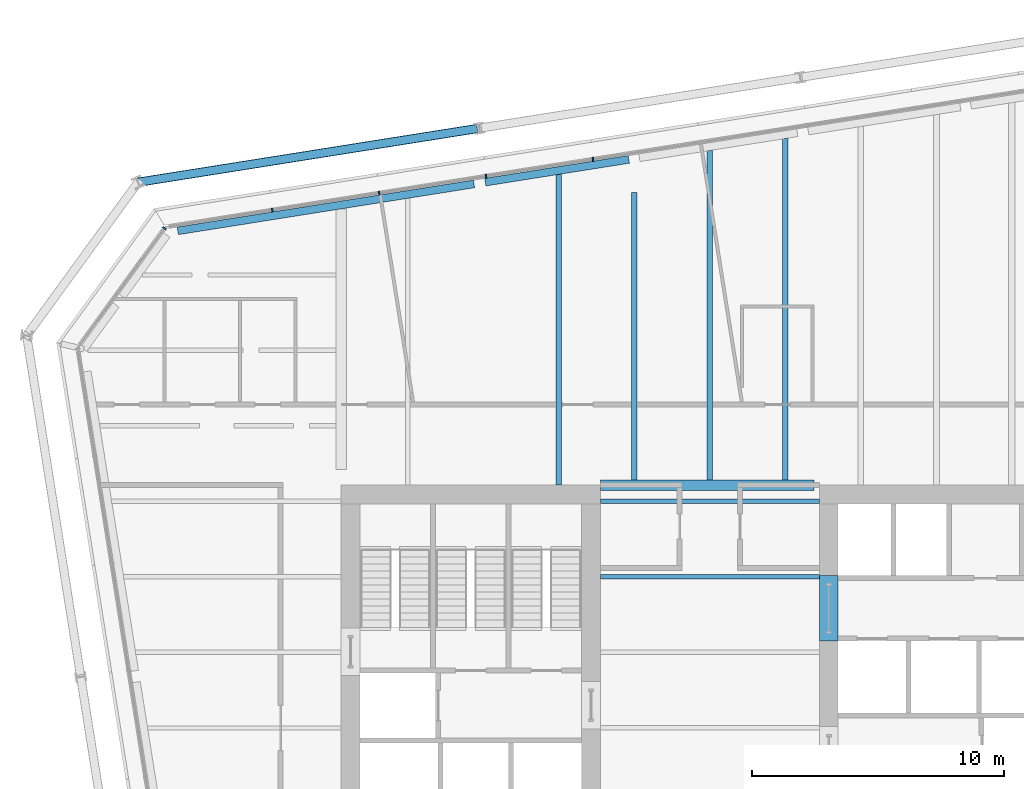
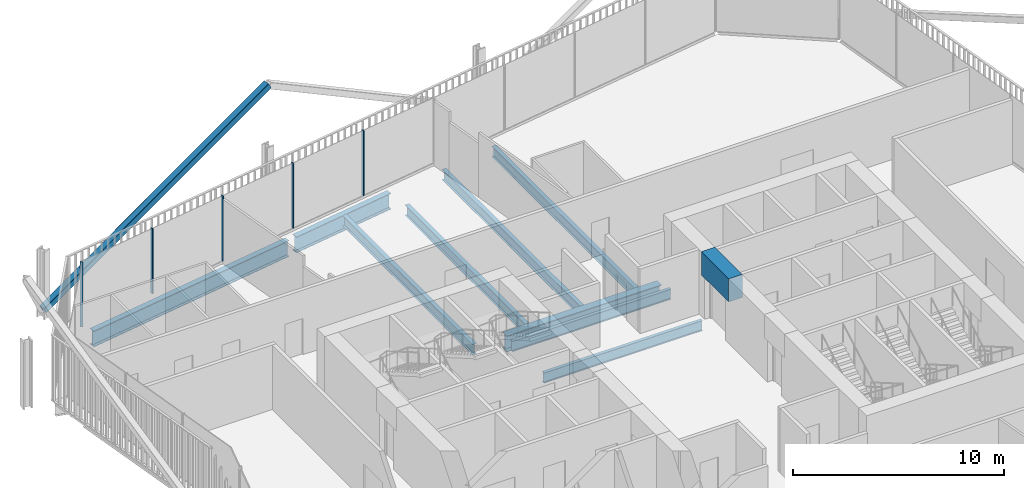
# One storey, part 8 of 19: 10 beams, 6 members, 2 elements without a shape of their own.
"""IFC4 building model written with IfcOpenShell, lengths in metres."""

import ifcopenshell
import ifcopenshell.guid

model = None  # the IFC model being written
_history = None  # IfcOwnerHistory: only IFC2X3 demands one
_inside = {}  # id of a spatial element -> (the spatial element, [elements in it])
_under = {}  # id of a project, library or spatial element -> (it, [spatial elements below it])
_declared = {}  # id of a project -> (the project, [libraries it declares])
_typed = {}  # id of a type object -> (the type object, [elements of that type])
_made_of = {}  # id of a material, layer set ... -> (it, [elements and type objects made of it])


def new_model(schema):
    """Start an empty IFC model of exactly this schema.

    Asked for "IFC4X3", IfcOpenShell would pick the latest addendum, in which some entities
    have other attributes; the version numbers below select the first issue.
    IFC2X3 requires an IfcOwnerHistory on every rooted entity: one is made here for all.
    """
    global model, _history
    if schema == "IFC4X3":
        model = ifcopenshell.file(schema_version=(4, 3, 0, 0))
    else:
        model = ifcopenshell.file(schema=schema)
    _inside.clear()
    _under.clear()
    _declared.clear()
    _typed.clear()
    _made_of.clear()
    _history = None
    if model.schema == "IFC2X3":
        org = make("IfcOrganization", Name="unknown")
        user = make(
            "IfcPersonAndOrganization",
            ThePerson=make("IfcPerson", FamilyName="unknown"),
            TheOrganization=org,
        )
        app = make(
            "IfcApplication",
            ApplicationDeveloper=org,
            Version="unknown",
            ApplicationFullName="unknown",
            ApplicationIdentifier="unknown",
        )
        _history = make(
            "IfcOwnerHistory",
            OwningUser=user,
            OwningApplication=app,
            ChangeAction="ADDED",
            CreationDate=0,
        )
    return model


def make(cls, **values):
    """One entity of the class cls with the attributes given. An attribute that is None is left unset."""
    return model.create_entity(
        cls, **{name: value for name, value in values.items() if value is not None}
    )


def rooted(cls, **values):
    """An entity with a GlobalId (a new one), such as an element, a storey or a relation."""
    return make(cls, GlobalId=ifcopenshell.guid.new(), OwnerHistory=_history, **values)


def si_unit(unit_type, name, prefix=None):
    """IfcSIUnit, for example si_unit("LENGTHUNIT", "METRE", prefix="MILLI")."""
    return make("IfcSIUnit", UnitType=unit_type, Prefix=prefix, Name=name)


def assignment(units):
    """IfcUnitAssignment: the units of a project."""
    return None if units is None else make("IfcUnitAssignment", Units=units)


def point(xyz):
    """IfcCartesianPoint."""
    return None if xyz is None else make("IfcCartesianPoint", Coordinates=xyz)


def direction(xyz):
    """IfcDirection."""
    return None if xyz is None else make("IfcDirection", DirectionRatios=xyz)


def frame(location, z_axis=None, x_axis=None):
    """IfcAxis2Placement3D, a coordinate frame: its origin and axes. An axis left out is left unset."""
    return make(
        "IfcAxis2Placement3D",
        Location=point(location),
        Axis=direction(z_axis),
        RefDirection=direction(x_axis),
    )


def frame_2d(location, x_axis=None):
    """IfcAxis2Placement2D, a coordinate frame in the plane: its origin and x axis."""
    return make(
        "IfcAxis2Placement2D", Location=point(location), RefDirection=direction(x_axis)
    )


def origin():
    """The frame at (0, 0, 0) with its axes left unset."""
    return frame((0.0, 0.0, 0.0))


def origin_2d():
    """The frame at (0, 0) in the plane with its x axis left unset."""
    return frame_2d((0.0, 0.0))


def place(relative_to, where):
    """IfcLocalPlacement: puts the frame where relative to a parent placement (None: the world)."""
    return make(
        "IfcLocalPlacement", PlacementRelTo=relative_to, RelativePlacement=where
    )


def context(
    kind, dimensions, precision=None, world=None, true_north=None, identifier=None
):
    """IfcGeometricRepresentationContext, for example the 3D "Model" context."""
    return make(
        "IfcGeometricRepresentationContext",
        ContextIdentifier=identifier,
        ContextType=kind,
        CoordinateSpaceDimension=dimensions,
        Precision=precision,
        WorldCoordinateSystem=world,
        TrueNorth=true_north,
    )


def subcontext(parent, identifier, kind, view, scale=None):
    """IfcGeometricRepresentationSubContext, for example "Body" below "Model"."""
    return make(
        "IfcGeometricRepresentationSubContext",
        ContextIdentifier=identifier,
        ContextType=kind,
        ParentContext=parent,
        TargetScale=scale,
        TargetView=view,
    )


def project(units=None, contexts=None):
    """IfcProject with its units and contexts."""
    return rooted(
        "IfcProject",
        Name="project",
        RepresentationContexts=contexts,
        UnitsInContext=assignment(units),
    )


def spatial(cls, under=None, at=None, **own):
    """A site, building, storey or space (cls), placed at a placement, below another one or the project."""
    s = rooted(cls, ObjectPlacement=at, **own)
    if under is not None:
        _under.setdefault(under.id(), (under, []))[1].append(s)
    return s


def profile(cls, at=None, kind="AREA", **sizes):
    """A parametric profile (cls). Its sizes go by their IFC names, for example OverallWidth=200.0."""
    return make(cls, ProfileType=kind, Position=at, **sizes)


def rectangle(**sizes):
    """IfcRectangleProfileDef."""
    return profile("IfcRectangleProfileDef", **sizes)


def hollow_rectangle(**sizes):
    """IfcRectangleHollowProfileDef."""
    return profile("IfcRectangleHollowProfileDef", **sizes)


def i_section(**sizes):
    """IfcIShapeProfileDef."""
    return profile("IfcIShapeProfileDef", **sizes)


def extrude(swept, where, along, depth):
    """IfcExtrudedAreaSolid: the profile swept, set in the frame where, extruded along a direction by depth."""
    return make(
        "IfcExtrudedAreaSolid",
        SweptArea=swept,
        Position=where,
        ExtrudedDirection=direction(along),
        Depth=depth,
    )


def shape(context_of_items, identifier, shape_type, items):
    """IfcShapeRepresentation: the items that make up one representation, for example the "Body"."""
    return make(
        "IfcShapeRepresentation",
        ContextOfItems=context_of_items,
        RepresentationIdentifier=identifier,
        RepresentationType=shape_type,
        Items=items,
    )


def material(Name=None, Category=None):
    """IfcMaterial."""
    return make("IfcMaterial", Name=Name, Category=Category)


def layer(
    of_material, thickness, ventilated=None, Name=None, Category=None, Priority=None
):
    """IfcMaterialLayer: one layer of a wall or slab, of a material (None: an air gap)."""
    return make(
        "IfcMaterialLayer",
        Material=of_material,
        LayerThickness=thickness,
        IsVentilated=ventilated,
        Name=Name,
        Category=Category,
        Priority=Priority,
    )


def layer_set(layers, Name=None):
    """IfcMaterialLayerSet."""
    return make("IfcMaterialLayerSet", MaterialLayers=layers, LayerSetName=Name)


def material_profile(
    of_material, cross_section, Name=None, Category=None, Priority=None
):
    """IfcMaterialProfile: a cross section and its material."""
    return make(
        "IfcMaterialProfile",
        Name=Name,
        Material=of_material,
        Profile=cross_section,
        Priority=Priority,
        Category=Category,
    )


def profile_set(profiles, Name=None, composite=None):
    """IfcMaterialProfileSet."""
    return make(
        "IfcMaterialProfileSet",
        Name=Name,
        MaterialProfiles=profiles,
        CompositeProfile=composite,
    )


def made_of(thing, what):
    """Note that an element or type object is made of a material, layer set ...; save() writes the relation."""
    if what is not None:
        _made_of.setdefault(what.id(), (what, []))[1].append(thing)
    return thing


def type_object(cls, material=None, **own):
    """A type object (cls), such as IfcWallType, which elements share."""
    return made_of(rooted(cls, **own), material)


def element(
    cls,
    number,
    at=None,
    inside=None,
    cuts=None,
    type_object=None,
    material=None,
    context=None,
    identifier="Body",
    shape_type=None,
    held_by="IfcProductDefinitionShape",
    body=None,
    shapes=None,
    **own,
):
    """One element of the class cls, such as IfcWall. Its Tag is "e" and its number.

    at: its placement. inside: the storey or other place that contains it. cuts: it is an
    opening in that element (IfcRelVoidsElement). A single representation is given by context,
    identifier, shape_type and body (its items); several are given by shapes. held_by: the class
    of the entity that holds the representations. save() writes the other relations.
    """
    e = rooted(cls, Tag="e%d" % number, ObjectPlacement=at, **own)
    if body is not None:
        shapes = [shape(context, identifier, shape_type, body)]
    if shapes is not None:
        e.Representation = make(held_by, Representations=shapes)
    if inside is not None:
        _inside.setdefault(inside.id(), (inside, []))[1].append(e)
    if cuts is not None:
        rooted(
            "IfcRelVoidsElement", RelatingBuildingElement=cuts, RelatedOpeningElement=e
        )
    if type_object is not None:
        _typed.setdefault(type_object.id(), (type_object, []))[1].append(e)
    return made_of(e, material)


def aggregate(whole, parts):
    """IfcRelAggregates: a whole, such as a stair, and the parts it consists of."""
    return rooted("IfcRelAggregates", RelatingObject=whole, RelatedObjects=parts)


def save(model, path):
    """Write the relations noted so far, then the file.

    IfcRelAggregates (storeys below a building ...), IfcRelContainedInSpatialStructure (elements
    in a storey), IfcRelDefinesByType, IfcRelAssociatesMaterial and IfcRelDeclares: one each for
    every whole, place, type object, material and project.
    """
    for whole, parts in _under.values():
        aggregate(whole, parts)
    for where, things in _inside.values():
        rooted(
            "IfcRelContainedInSpatialStructure",
            RelatedElements=things,
            RelatingStructure=where,
        )
    for kind, things in _typed.values():
        rooted("IfcRelDefinesByType", RelatedObjects=things, RelatingType=kind)
    for what, things in _made_of.values():
        rooted("IfcRelAssociatesMaterial", RelatedObjects=things, RelatingMaterial=what)
    for by, libraries in _declared.values():
        rooted("IfcRelDeclares", RelatingContext=by, RelatedDefinitions=libraries)
    model.write(path)


model = new_model("IFC4")

# Units and contexts
model_context = context("Model", 3, precision=1e-05, world=origin(), true_north=direction((0.0, 1.0)))
body_context = subcontext(model_context, "Body", "Model", "MODEL_VIEW")
ifc_project = project(units=[si_unit("LENGTHUNIT", "METRE"), si_unit("AREAUNIT", "SQUARE_METRE"), si_unit("VOLUMEUNIT", "CUBIC_METRE"), si_unit("PLANEANGLEUNIT", "RADIAN"), si_unit("MASSUNIT", "GRAM", prefix="KILO")], contexts=[model_context])

# Site, building, storey
site_placement = place(None, origin())
site = spatial("IfcSite", under=ifc_project, at=site_placement, CompositionType="ELEMENT")
building_placement = place(site_placement, origin())
building = spatial("IfcBuilding", under=site, at=building_placement, Name="Millrace Tower", CompositionType="ELEMENT")
storey_placement = place(building_placement, frame((0.0, 0.0, 129.5)))
storey = spatial("IfcBuildingStorey", under=building, at=storey_placement, Name="L28", CompositionType="ELEMENT", Elevation=129.5)

# Curtain wall, members
ifc_material_1 = material(Name="Aluminium and glass", Category="aluminium")
ifc_layer = layer(ifc_material_1, 0.14990234375)
ifc_layer_set = layer_set([ifc_layer], Name="Aluminium and glass")
curtain_wall_type = type_object("IfcCurtainWallType", Name="CW-1 office vision curtain wall", PredefinedType="NOTDEFINED", material=ifc_layer_set)
placement = place(storey_placement, origin())
curtain_wall_1 = element("IfcCurtainWall", 1, at=placement, inside=storey, type_object=curtain_wall_type, Name="Curtain wall C-F06 L28", PredefinedType="NOTDEFINED")
ifc_material_2 = material(Name="Aluminium", Category="aluminium")
ifc_material_profile_1 = material_profile(ifc_material_2, rectangle(XDim=0.06494140625, YDim=0.14990234375, at=origin_2d()))
ifc_profile_set_1 = profile_set([ifc_material_profile_1], Name="Aluminium")
member_type_1 = type_object("IfcMemberType", Name="CW-1 office vision curtain wall mullion", PredefinedType="MULLION", material=ifc_profile_set_1)
member_1_placement = place(storey_placement, frame((-4.6435546875, 22.59326171875, 0.139892578125), z_axis=(0.0, 0.0, 1.0), x_axis=(-0.98768833929, -0.15643447328, 0.0)))
member_1 = element("IfcMember", 2, at=member_1_placement, type_object=member_type_1, Name="CW1 mullion C-F06.6", PredefinedType="MULLION", context=body_context, shape_type="SweptSolid", body=[
    extrude(rectangle(XDim=0.06494140625, YDim=0.14990234375, at=origin_2d()), origin(), (0.0, 0.0, 1.0), 3.760009765625),
])
member_2_placement = place(storey_placement, frame((-8.890625, 21.920654296875, 0.139892578125), z_axis=(0.0, 0.0, 1.0), x_axis=(-0.98768833929, -0.15643447328, 0.0)))
member_2 = element("IfcMember", 3, at=member_2_placement, type_object=member_type_1, Name="CW1 mullion C-F06.7", PredefinedType="MULLION", context=body_context, shape_type="SweptSolid", body=[
    extrude(rectangle(XDim=0.06494140625, YDim=0.14990234375, at=origin_2d()), origin(), (0.0, 0.0, 1.0), 3.760009765625),
])
member_3_placement = place(storey_placement, frame((-13.1376953125, 21.248046875, 0.139892578125), z_axis=(0.0, 0.0, 1.0), x_axis=(-0.98768833929, -0.15643447328, 0.0)))
member_3 = element("IfcMember", 4, at=member_3_placement, type_object=member_type_1, Name="CW1 mullion C-F06.8", PredefinedType="MULLION", context=body_context, shape_type="SweptSolid", body=[
    extrude(rectangle(XDim=0.06494140625, YDim=0.14990234375, at=origin_2d()), origin(), (0.0, 0.0, 1.0), 3.760009765625),
])
member_4_placement = place(storey_placement, frame((-17.384765625, 20.575439453125, 0.139892578125), z_axis=(0.0, 0.0, 1.0), x_axis=(-0.98768833929, -0.15643447328, 0.0)))
member_4 = element("IfcMember", 5, at=member_4_placement, type_object=member_type_1, Name="CW1 mullion C-F06.9", PredefinedType="MULLION", context=body_context, shape_type="SweptSolid", body=[
    extrude(rectangle(XDim=0.06494140625, YDim=0.14990234375, at=origin_2d()), origin(), (0.0, 0.0, 1.0), 3.760009765625),
])
aggregate(curtain_wall_1, [member_1, member_2, member_3, member_4])

# Curtain wall, member
curtain_wall_2 = element("IfcCurtainWall", 6, at=placement, inside=storey, type_object=curtain_wall_type, Name="Curtain wall C-F07 L28", PredefinedType="NOTDEFINED")
member_5_placement = place(storey_placement, frame((-21.667724609375, 19.8515625, 0.139892578125), z_axis=(0.0, 0.0, 1.0), x_axis=(-0.587785269844, -0.809016981623, 0.0)))
member_5 = element("IfcMember", 7, at=member_5_placement, type_object=member_type_1, Name="CW1 mullion C-F07.1", PredefinedType="MULLION", context=body_context, shape_type="SweptSolid", body=[
    extrude(rectangle(XDim=0.06494140625, YDim=0.14990234375, at=origin_2d()), origin(), (0.0, 0.0, 1.0), 3.760009765625),
])
aggregate(curtain_wall_2, [member_5])

# Beam
ifc_material_3 = material(Name="Concrete C70", Category="concrete")
ifc_material_profile_2 = material_profile(ifc_material_3, rectangle(XDim=0.75, YDim=1.340087890625, at=origin_2d()))
ifc_profile_set_2 = profile_set([ifc_material_profile_2], Name="Concrete C70")
beam_type_1 = type_object("IfcBeamType", Name="Coupling beam 750 x 1340 Concrete C70, 2000 opening", PredefinedType="BEAM", material=ifc_profile_set_2)
beam_1_placement = place(storey_placement, frame((4.72509765625, 6.050048828125, 3.070068359375), z_axis=(0.0, -1.0, 0.0), x_axis=(1.0, 0.0, 0.0)))
element("IfcBeam", 8, at=beam_1_placement, inside=storey, type_object=beam_type_1, Name="Coupling beam E L28", PredefinedType="BEAM", context=body_context, shape_type="SweptSolid", body=[
    extrude(rectangle(XDim=0.75, YDim=1.340087890625, at=origin_2d()), origin(), (0.0, 0.0, 1.0), 2.60009765625),
])

# Member
ifc_material_4 = material(Name="Steel ASTM A500 Grade C", Category="steel")
ifc_material_profile_3 = material_profile(ifc_material_4, hollow_rectangle(XDim=0.355712890625, YDim=0.355712890625, WallThickness=0.015869140625, InnerFilletRadius=0.008056640625, OuterFilletRadius=0.02392578125, at=origin_2d()))
ifc_profile_set_3 = profile_set([ifc_material_profile_3], Name="Steel ASTM A500 Grade C")
member_type_2 = type_object("IfcMemberType", Name="Exoskeleton brace HSS14x14x5/8", PredefinedType="BRACE", material=ifc_profile_set_3)
member_6_placement = place(storey_placement, frame((-22.718994140625, 21.679443359375, 0.39990234375), z_axis=(0.879904612171, 0.139370908249, 0.454250617407), x_axis=(-0.156442906258, 0.987687003601, 0.0)))
element("IfcMember", 9, at=member_6_placement, inside=storey, type_object=member_type_2, Name="BRC-C-L28-12", PredefinedType="BRACE", context=body_context, shape_type="SweptSolid", body=[
    extrude(hollow_rectangle(XDim=0.355712890625, YDim=0.355712890625, WallThickness=0.015869140625, InnerFilletRadius=0.008056640625, OuterFilletRadius=0.02392578125, at=origin_2d()), origin(), (0.0, 0.0, 1.0), 15.409912109375),
])

# Beams
ifc_material_5 = material(Name="Steel ASTM A992 Grade 50", Category="steel")
ifc_material_profile_4 = material_profile(ifc_material_5, i_section(OverallWidth=0.177978515625, OverallDepth=0.599365234375, WebThickness=0.010009765625, FlangeThickness=0.012939453125, FilletRadius=0.012939453125, at=origin_2d()))
ifc_profile_set_4 = profile_set([ifc_material_profile_4], Name="Steel ASTM A992 Grade 50")
beam_type_2 = type_object("IfcBeamType", Name="Floor beam W24x55", PredefinedType="JOIST", material=ifc_profile_set_4)
for number, where, z_axis, x_axis, name in (
    (10, (-4.35009765625, 6.0, -0.459716796875), (1.0, 0.0, 0.0), (0.0, 1.0, 0.0), "BM-C-L28-S1-S025"),
    (11, (-4.35009765625, 9.0, -0.459716796875), (1.0, 0.0, 0.0), (0.0, 1.0, 0.0), "BM-C-L28-S1-S028"),
):
    element("IfcBeam", number, at=place(storey_placement, frame(where, z_axis=z_axis, x_axis=x_axis)), inside=storey, type_object=beam_type_2, Name=name, PredefinedType="JOIST", context=body_context, shape_type="SweptSolid", body=[
        extrude(i_section(OverallWidth=0.177978515625, OverallDepth=0.599365234375, WebThickness=0.010009765625, FlangeThickness=0.012939453125, FilletRadius=0.012939453125, at=origin_2d()), origin(), (0.0, 0.0, 1.0), 8.7001953125),
    ])
ifc_material_6 = material(Name="Steel ASTM A992 Grade 50", Category="steel")
ifc_material_profile_5 = material_profile(ifc_material_6, i_section(OverallWidth=0.228271484375, OverallDepth=0.607177734375, WebThickness=0.01123046875, FlangeThickness=0.017333984375, FilletRadius=0.0126953125, at=origin_2d()))
ifc_profile_set_5 = profile_set([ifc_material_profile_5], Name="Steel ASTM A992 Grade 50")
beam_type_3 = type_object("IfcBeamType", Name="Floor beam W24x76", PredefinedType="JOIST", material=ifc_profile_set_5)
beam_2_placement = place(storey_placement, frame((-6.0, 9.64990234375, -0.463623046875), z_axis=(0.0, 1.0, 0.0), x_axis=(-1.0, 0.0, 0.0)))
element("IfcBeam", 12, at=beam_2_placement, inside=storey, type_object=beam_type_3, Name="BM-C-L28-S1-S043", PredefinedType="JOIST", context=body_context, shape_type="SweptSolid", body=[
    extrude(i_section(OverallWidth=0.228271484375, OverallDepth=0.607177734375, WebThickness=0.01123046875, FlangeThickness=0.017333984375, FilletRadius=0.0126953125, at=origin_2d()), origin(), (0.0, 0.0, 1.0), 12.341552734375),
])
beam_3_placement = place(storey_placement, frame((0.0, 9.859619140625, -0.463623046875), z_axis=(0.0, 1.0, 0.0), x_axis=(-1.0, 0.0, 0.0)))
element("IfcBeam", 13, at=beam_3_placement, inside=storey, type_object=beam_type_3, Name="BM-C-L28-S1-S047", PredefinedType="JOIST", context=body_context, shape_type="SweptSolid", body=[
    extrude(i_section(OverallWidth=0.228271484375, OverallDepth=0.607177734375, WebThickness=0.01123046875, FlangeThickness=0.017333984375, FilletRadius=0.0126953125, at=origin_2d()), origin(), (0.0, 0.0, 1.0), 13.08203125),
])
beam_4_placement = place(storey_placement, frame((3.0, 9.859619140625, -0.463623046875), z_axis=(0.0, 1.0, 0.0), x_axis=(-1.0, 0.0, 0.0)))
element("IfcBeam", 14, at=beam_4_placement, inside=storey, type_object=beam_type_3, Name="BM-C-L28-S1-S049", PredefinedType="JOIST", context=body_context, shape_type="SweptSolid", body=[
    extrude(i_section(OverallWidth=0.228271484375, OverallDepth=0.607177734375, WebThickness=0.01123046875, FlangeThickness=0.017333984375, FilletRadius=0.0126953125, at=origin_2d()), origin(), (0.0, 0.0, 1.0), 13.55712890625),
])
beam_5_placement = place(storey_placement, frame((-3.0, 9.859619140625, -0.463623046875), z_axis=(0.0, 1.0, 0.0), x_axis=(-1.0, 0.0, 0.0)))
element("IfcBeam", 15, at=beam_5_placement, inside=storey, type_object=beam_type_3, Name="BM-C-L28-S1-S045", PredefinedType="JOIST", context=body_context, shape_type="SweptSolid", body=[
    extrude(i_section(OverallWidth=0.228271484375, OverallDepth=0.607177734375, WebThickness=0.01123046875, FlangeThickness=0.017333984375, FilletRadius=0.0126953125, at=origin_2d()), origin(), (0.0, 0.0, 1.0), 11.40869140625),
])
ifc_material_7 = material(Name="Steel ASTM A992 Grade 50", Category="steel")
ifc_material_profile_6 = material_profile(ifc_material_7, i_section(OverallWidth=0.419189453125, OverallDepth=0.927001953125, WebThickness=0.019287109375, FlangeThickness=0.031982421875, FilletRadius=0.024169921875, at=origin_2d()))
ifc_profile_set_6 = profile_set([ifc_material_profile_6], Name="Steel ASTM A992 Grade 50")
beam_type_4 = type_object("IfcBeamType", Name="Girder short span W36x231", PredefinedType="BEAM", material=ifc_profile_set_6)
beam_6_placement = place(storey_placement, frame((-4.35009765625, 9.64990234375, -0.62353515625), z_axis=(1.0, 0.0, 0.0), x_axis=(0.0, 1.0, 0.0)))
element("IfcBeam", 16, at=beam_6_placement, inside=storey, type_object=beam_type_4, Name="BM-C-L28-S1-G061", PredefinedType="BEAM", context=body_context, shape_type="SweptSolid", body=[
    extrude(i_section(OverallWidth=0.419189453125, OverallDepth=0.927001953125, WebThickness=0.019287109375, FlangeThickness=0.031982421875, FilletRadius=0.024169921875, at=origin_2d()), origin(), (0.0, 0.0, 1.0), 8.489013671875),
])
ifc_material_8 = material(Name="Steel ASTM A992 Grade 50", Category="steel")
ifc_material_profile_7 = material_profile(ifc_material_8, i_section(OverallWidth=0.307373046875, OverallDepth=0.927001953125, WebThickness=0.01953125, FlangeThickness=0.031982421875, FilletRadius=0.01904296875, at=origin_2d()))
ifc_profile_set_7 = profile_set([ifc_material_profile_7], Name="Steel ASTM A992 Grade 50")
beam_type_5 = type_object("IfcBeamType", Name="Ring beam short span W36x194", PredefinedType="SPANDREL", material=ifc_profile_set_7)
beam_7_placement = place(storey_placement, frame((-8.921630859375, 21.684326171875, -0.62353515625), z_axis=(0.987691892915, 0.15641203493, 0.0), x_axis=(-0.15641203493, 0.987691892915, 0.0)))
element("IfcBeam", 17, at=beam_7_placement, inside=storey, type_object=beam_type_5, Name="RNG-C-L28-S1-06-a", PredefinedType="SPANDREL", context=body_context, shape_type="SweptSolid", body=[
    extrude(i_section(OverallWidth=0.307373046875, OverallDepth=0.927001953125, WebThickness=0.01953125, FlangeThickness=0.031982421875, FilletRadius=0.01904296875, at=origin_2d()), origin(), (0.0, 0.0, 1.0), 5.773681640625),
])
beam_8_placement = place(storey_placement, frame((-21.139892578125, 19.7490234375, -0.62353515625), z_axis=(0.98768909627, 0.156429693821, 0.0), x_axis=(-0.156429693821, 0.98768909627, 0.0)))
element("IfcBeam", 18, at=beam_8_placement, inside=storey, type_object=beam_type_5, Name="RNG-C-L28-S1-05", PredefinedType="SPANDREL", context=body_context, shape_type="SweptSolid", body=[
    extrude(i_section(OverallWidth=0.307373046875, OverallDepth=0.927001953125, WebThickness=0.01953125, FlangeThickness=0.031982421875, FilletRadius=0.01904296875, at=origin_2d()), origin(), (0.0, 0.0, 1.0), 11.916015625),
])

save(model, "model.ifc")
